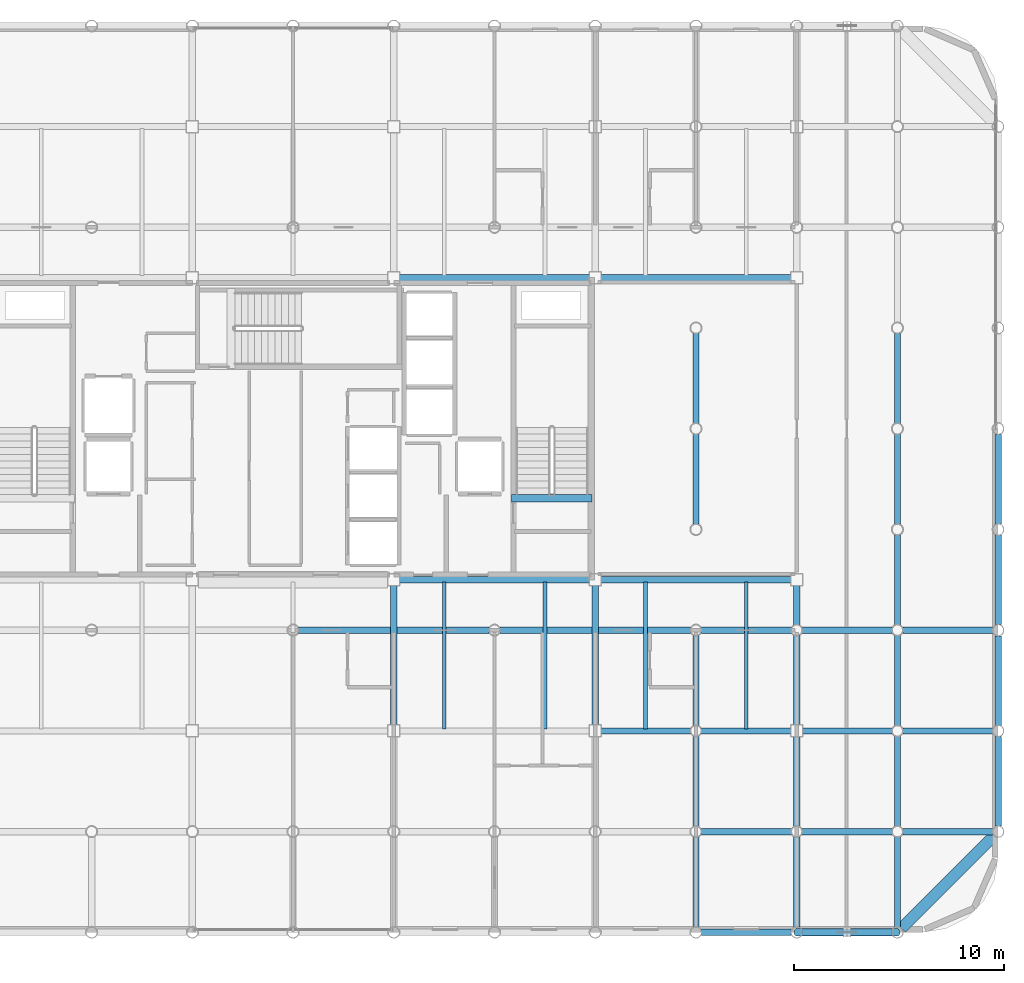
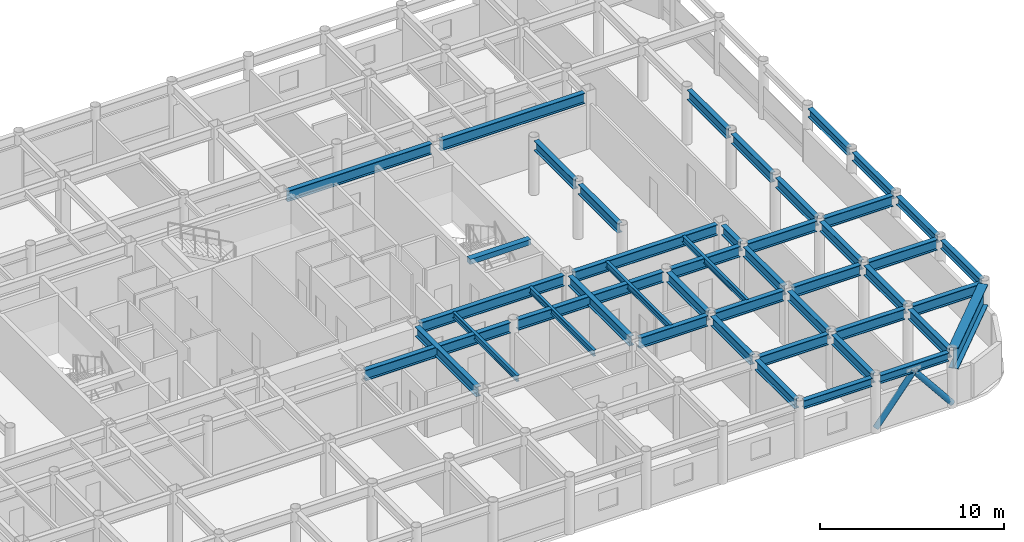
# One storey, part 9 of 22: 45 beams, 2 members.
"""IFC4 building model written with IfcOpenShell, lengths in metres."""

from ifc_helpers import new_model, si_unit, direction, frame, origin, origin_2d, place, context, subcontext, project, spatial, rectangle, hollow_circle, i_section, extrude, material, material_profile, profile_set, type_object, element, save


model = new_model("IFC4")

# Units and contexts
model_context = context("Model", 3, precision=1e-05, world=origin(), true_north=direction((0.0, 1.0)))
body_context = subcontext(model_context, "Body", "Model", "MODEL_VIEW")
ifc_project = project(units=[si_unit("LENGTHUNIT", "METRE"), si_unit("AREAUNIT", "SQUARE_METRE"), si_unit("VOLUMEUNIT", "CUBIC_METRE"), si_unit("PLANEANGLEUNIT", "RADIAN"), si_unit("MASSUNIT", "GRAM", prefix="KILO")], contexts=[model_context])

# Site, building, storey
site_placement = place(None, origin())
site = spatial("IfcSite", under=ifc_project, at=site_placement, CompositionType="ELEMENT")
building_placement = place(site_placement, origin())
building = spatial("IfcBuilding", under=site, at=building_placement, Name="Kallvorn Hotel Tower", CompositionType="ELEMENT")
storey_placement = place(building_placement, frame((0.0, 0.0, 206.89990234375)))
storey = spatial("IfcBuildingStorey", under=building, at=storey_placement, Name="L51", CompositionType="ELEMENT", Elevation=206.89990234375)

# Beams
ifc_material_1 = material(Name="Structural steel S355JR", Category="steel")
ifc_material_profile_1 = material_profile(ifc_material_1, i_section(OverallWidth=0.300048828125, OverallDepth=0.550048828125, WebThickness=0.014892578125, FlangeThickness=0.029052734375, at=origin_2d()), Name="HE 550 B")
ifc_profile_set_1 = profile_set([ifc_material_profile_1], Name="Structural steel S355JR")
beam_type_1 = type_object("IfcBeamType", Name="BM_HE550B", PredefinedType="SPANDREL", material=ifc_profile_set_1)
for number, where, z_axis, x_axis, name in (
    (1, (19.469482421875, -24.0, 3.39501953125), (1.0, 0.0, 0.0), (0.0, 1.0, 0.0), "L52 Perimeter Spandrel 160"),
    (2, (24.26953125, -24.0, 3.39501953125), (1.0, 0.0, 0.0), (0.0, 1.0, 0.0), "L52 Perimeter Spandrel 161"),
    (3, (33.60009765625, -18.930419921875, 3.39501953125), (0.0, 1.0, 0.0), (-1.0, 0.0, 0.0), "L52 Perimeter Spandrel 182"),
):
    element("IfcBeam", number, at=place(storey_placement, frame(where, z_axis=z_axis, x_axis=x_axis)), inside=storey, type_object=beam_type_1, Name=name, PredefinedType="SPANDREL", context=body_context, shape_type="SweptSolid", body=[
        extrude(i_section(OverallWidth=0.300048828125, OverallDepth=0.550048828125, WebThickness=0.014892578125, FlangeThickness=0.029052734375, at=origin_2d()), origin(), (0.0, 0.0, 1.0), 4.260986328125),
    ])
beam_1_placement = place(storey_placement, frame((33.60009765625, -14.130615234375, 3.39501953125), z_axis=(0.0, 1.0, 0.0), x_axis=(-1.0, 0.0, 0.0)))
element("IfcBeam", 4, at=beam_1_placement, inside=storey, type_object=beam_type_1, Name="L52 Perimeter Spandrel 183", PredefinedType="SPANDREL", context=body_context, shape_type="SweptSolid", body=[
    extrude(i_section(OverallWidth=0.300048828125, OverallDepth=0.550048828125, WebThickness=0.014892578125, FlangeThickness=0.029052734375, at=origin_2d()), origin(), (0.0, 0.0, 1.0), 4.26123046875),
])
for number, where, z_axis, x_axis, name in (
    (5, (33.60009765625, -9.33056640625, 3.39501953125), (0.0, 1.0, 0.0), (-1.0, 0.0, 0.0), "L52 Perimeter Spandrel 184"),
    (6, (33.60009765625, -4.530517578125, 3.39501953125), (0.0, 1.0, 0.0), (-1.0, 0.0, 0.0), "L52 Perimeter Spandrel 185"),
):
    element("IfcBeam", number, at=place(storey_placement, frame(where, z_axis=z_axis, x_axis=x_axis)), inside=storey, type_object=beam_type_1, Name=name, PredefinedType="SPANDREL", context=body_context, shape_type="SweptSolid", body=[
        extrude(i_section(OverallWidth=0.300048828125, OverallDepth=0.550048828125, WebThickness=0.014892578125, FlangeThickness=0.029052734375, at=origin_2d()), origin(), (0.0, 0.0, 1.0), 4.260986328125),
    ])
ifc_material_2 = material(Name="Structural steel S355JR", Category="steel")
ifc_material_profile_2 = material_profile(ifc_material_2, i_section(OverallWidth=0.300048828125, OverallDepth=0.64990234375, WebThickness=0.01611328125, FlangeThickness=0.031005859375, at=origin_2d()), Name="HE 650 B")
ifc_profile_set_2 = profile_set([ifc_material_profile_2], Name="Structural steel S355JR")
beam_type_2 = type_object("IfcBeamType", Name="BM_HE650B", PredefinedType="BEAM", material=ifc_profile_set_2)
for number, where, z_axis, x_axis, name in (
    (7, (4.800048828125, -14.125, 3.34521484375), (0.0, 1.0, 0.0), (-1.0, 0.0, 0.0), "L52 Primary Y-Girder 115"),
    (8, (14.39990234375, -14.125, 3.34521484375), (0.0, 1.0, 0.0), (-1.0, 0.0, 0.0), "L52 Primary Y-Girder 123"),
):
    element("IfcBeam", number, at=place(storey_placement, frame(where, z_axis=z_axis, x_axis=x_axis)), inside=storey, type_object=beam_type_2, Name=name, PredefinedType="BEAM", context=body_context, shape_type="SweptSolid", body=[
        extrude(i_section(OverallWidth=0.300048828125, OverallDepth=0.64990234375, WebThickness=0.01611328125, FlangeThickness=0.031005859375, at=origin_2d()), origin(), (0.0, 0.0, 1.0), 6.64990234375),
    ])
for number, where, z_axis, x_axis, name in (
    (9, (19.199951171875, -23.74560546875, 3.34521484375), (0.0, 1.0, 0.0), (-1.0, 0.0, 0.0), "L52 Primary Y-Girder 126"),
    (10, (19.199951171875, -18.945556640625, 3.34521484375), (0.0, 1.0, 0.0), (-1.0, 0.0, 0.0), "L52 Primary Y-Girder 127"),
    (11, (19.199951171875, -14.1455078125, 3.34521484375), (0.0, 1.0, 0.0), (-1.0, 0.0, 0.0), "L52 Primary Y-Girder 128"),
    (12, (19.199951171875, -4.54541015625, 3.34521484375), (0.0, 1.0, 0.0), (-1.0, 0.0, 0.0), "L52 Primary Y-Girder 130"),
    (13, (19.199951171875, 0.25439453125, 3.34521484375), (0.0, 1.0, 0.0), (-1.0, 0.0, 0.0), "L52 Primary Y-Girder 131"),
    (14, (24.0, -23.74560546875, 3.34521484375), (0.0, 1.0, 0.0), (-1.0, 0.0, 0.0), "L52 Primary Y-Girder 135"),
):
    element("IfcBeam", number, at=place(storey_placement, frame(where, z_axis=z_axis, x_axis=x_axis)), inside=storey, type_object=beam_type_2, Name=name, PredefinedType="BEAM", context=body_context, shape_type="SweptSolid", body=[
        extrude(i_section(OverallWidth=0.300048828125, OverallDepth=0.64990234375, WebThickness=0.01611328125, FlangeThickness=0.031005859375, at=origin_2d()), origin(), (0.0, 0.0, 1.0), 4.291015625),
    ])
for number, where, z_axis, x_axis, name in (
    (15, (24.0, -18.945556640625, 3.34521484375), (0.0, 1.0, 0.0), (-1.0, 0.0, 0.0), "L52 Primary Y-Girder 136"),
    (16, (24.0, -14.125, 3.34521484375), (0.0, 1.0, 0.0), (-1.0, 0.0, 0.0), "L52 Primary Y-Girder 137"),
):
    element("IfcBeam", number, at=place(storey_placement, frame(where, z_axis=z_axis, x_axis=x_axis)), inside=storey, type_object=beam_type_2, Name=name, PredefinedType="BEAM", context=body_context, shape_type="SweptSolid", body=[
        extrude(i_section(OverallWidth=0.300048828125, OverallDepth=0.64990234375, WebThickness=0.01611328125, FlangeThickness=0.031005859375, at=origin_2d()), origin(), (0.0, 0.0, 1.0), 4.2705078125),
    ])
beam_2_placement = place(storey_placement, frame((24.0, -9.345458984375, 3.34521484375), z_axis=(0.0, 1.0, 0.0), x_axis=(-1.0, 0.0, 0.0)))
element("IfcBeam", 17, at=beam_2_placement, inside=storey, type_object=beam_type_2, Name="L52 Primary Y-Girder 138", PredefinedType="BEAM", context=body_context, shape_type="SweptSolid", body=[
    extrude(i_section(OverallWidth=0.300048828125, OverallDepth=0.64990234375, WebThickness=0.01611328125, FlangeThickness=0.031005859375, at=origin_2d()), origin(), (0.0, 0.0, 1.0), 1.870361328125),
])
for number, where, z_axis, x_axis, name in (
    (18, (28.800048828125, -23.74560546875, 3.34521484375), (0.0, 1.0, 0.0), (-1.0, 0.0, 0.0), "L52 Primary Y-Girder 142"),
    (19, (28.800048828125, -18.945556640625, 3.34521484375), (0.0, 1.0, 0.0), (-1.0, 0.0, 0.0), "L52 Primary Y-Girder 143"),
    (20, (28.800048828125, -14.1455078125, 3.34521484375), (0.0, 1.0, 0.0), (-1.0, 0.0, 0.0), "L52 Primary Y-Girder 144"),
    (21, (28.800048828125, -9.345458984375, 3.34521484375), (0.0, 1.0, 0.0), (-1.0, 0.0, 0.0), "L52 Primary Y-Girder 145"),
    (22, (28.800048828125, -4.54541015625, 3.34521484375), (0.0, 1.0, 0.0), (-1.0, 0.0, 0.0), "L52 Primary Y-Girder 146"),
    (23, (28.800048828125, 0.25439453125, 3.34521484375), (0.0, 1.0, 0.0), (-1.0, 0.0, 0.0), "L52 Primary Y-Girder 147"),
):
    element("IfcBeam", number, at=place(storey_placement, frame(where, z_axis=z_axis, x_axis=x_axis)), inside=storey, type_object=beam_type_2, Name=name, PredefinedType="BEAM", context=body_context, shape_type="SweptSolid", body=[
        extrude(i_section(OverallWidth=0.300048828125, OverallDepth=0.64990234375, WebThickness=0.01611328125, FlangeThickness=0.031005859375, at=origin_2d()), origin(), (0.0, 0.0, 1.0), 4.291015625),
    ])
ifc_material_3 = material(Name="Structural steel S355JR", Category="steel")
ifc_material_profile_3 = material_profile(ifc_material_3, i_section(OverallWidth=0.300048828125, OverallDepth=0.699951171875, WebThickness=0.01708984375, FlangeThickness=0.031982421875, at=origin_2d()), Name="HE 700 B")
ifc_profile_set_3 = profile_set([ifc_material_profile_3], Name="Structural steel S355JR")
beam_type_3 = type_object("IfcBeamType", Name="BM_HE700B", PredefinedType="BEAM", material=ifc_profile_set_3)
for number, where, z_axis, x_axis, name in (
    (24, (19.45458984375, -19.199951171875, 3.320068359375), (1.0, 0.0, 0.0), (0.0, 1.0, 0.0), "L52 Primary X-Girder 11"),
    (25, (24.25439453125, -19.199951171875, 3.320068359375), (1.0, 0.0, 0.0), (0.0, 1.0, 0.0), "L52 Primary X-Girder 12"),
    (26, (29.054443359375, -19.199951171875, 3.320068359375), (1.0, 0.0, 0.0), (0.0, 1.0, 0.0), "L52 Primary X-Girder 13"),
):
    element("IfcBeam", number, at=place(storey_placement, frame(where, z_axis=z_axis, x_axis=x_axis)), inside=storey, type_object=beam_type_3, Name=name, PredefinedType="BEAM", context=body_context, shape_type="SweptSolid", body=[
        extrude(i_section(OverallWidth=0.300048828125, OverallDepth=0.699951171875, WebThickness=0.01708984375, FlangeThickness=0.031982421875, at=origin_2d()), origin(), (0.0, 0.0, 1.0), 4.291015625),
    ])
for number, where, z_axis, x_axis, name in (
    (27, (14.675048828125, -14.39990234375, 3.320068359375), (1.0, 0.0, 0.0), (0.0, 1.0, 0.0), "L52 Primary X-Girder 20"),
    (28, (19.45458984375, -14.39990234375, 3.320068359375), (1.0, 0.0, 0.0), (0.0, 1.0, 0.0), "L52 Primary X-Girder 21"),
    (29, (24.27490234375, -14.39990234375, 3.320068359375), (1.0, 0.0, 0.0), (0.0, 1.0, 0.0), "L52 Primary X-Girder 22"),
):
    element("IfcBeam", number, at=place(storey_placement, frame(where, z_axis=z_axis, x_axis=x_axis)), inside=storey, type_object=beam_type_3, Name=name, PredefinedType="BEAM", context=body_context, shape_type="SweptSolid", body=[
        extrude(i_section(OverallWidth=0.300048828125, OverallDepth=0.699951171875, WebThickness=0.01708984375, FlangeThickness=0.031982421875, at=origin_2d()), origin(), (0.0, 0.0, 1.0), 4.2705078125),
    ])
beam_3_placement = place(storey_placement, frame((29.054443359375, -14.39990234375, 3.320068359375), z_axis=(1.0, 0.0, 0.0), x_axis=(0.0, 1.0, 0.0)))
element("IfcBeam", 30, at=beam_3_placement, inside=storey, type_object=beam_type_3, Name="L52 Primary X-Girder 23", PredefinedType="BEAM", context=body_context, shape_type="SweptSolid", body=[
    extrude(i_section(OverallWidth=0.300048828125, OverallDepth=0.699951171875, WebThickness=0.01708984375, FlangeThickness=0.031982421875, at=origin_2d()), origin(), (0.0, 0.0, 1.0), 4.291015625),
])
for number, where, z_axis, x_axis, name in (
    (31, (0.25439453125, -9.60009765625, 3.320068359375), (1.0, 0.0, 0.0), (0.0, 1.0, 0.0), "L52 Primary X-Girder 28"),
    (32, (9.8544921875, -9.60009765625, 3.320068359375), (1.0, 0.0, 0.0), (0.0, 1.0, 0.0), "L52 Primary X-Girder 29"),
):
    element("IfcBeam", number, at=place(storey_placement, frame(where, z_axis=z_axis, x_axis=x_axis)), inside=storey, type_object=beam_type_3, Name=name, PredefinedType="BEAM", context=body_context, shape_type="SweptSolid", body=[
        extrude(i_section(OverallWidth=0.300048828125, OverallDepth=0.699951171875, WebThickness=0.01708984375, FlangeThickness=0.031982421875, at=origin_2d()), origin(), (0.0, 0.0, 1.0), 9.091064453125),
    ])
for number, where, z_axis, x_axis, name in (
    (33, (19.45458984375, -9.60009765625, 3.320068359375), (1.0, 0.0, 0.0), (0.0, 1.0, 0.0), "L52 Primary X-Girder 30"),
    (34, (24.25439453125, -9.60009765625, 3.320068359375), (1.0, 0.0, 0.0), (0.0, 1.0, 0.0), "L52 Primary X-Girder 31"),
    (35, (29.054443359375, -9.60009765625, 3.320068359375), (1.0, 0.0, 0.0), (0.0, 1.0, 0.0), "L52 Primary X-Girder 32"),
):
    element("IfcBeam", number, at=place(storey_placement, frame(where, z_axis=z_axis, x_axis=x_axis)), inside=storey, type_object=beam_type_3, Name=name, PredefinedType="BEAM", context=body_context, shape_type="SweptSolid", body=[
        extrude(i_section(OverallWidth=0.300048828125, OverallDepth=0.699951171875, WebThickness=0.01708984375, FlangeThickness=0.031982421875, at=origin_2d()), origin(), (0.0, 0.0, 1.0), 4.291015625),
    ])
for number, where, z_axis, x_axis, name in (
    (36, (5.074951171875, -7.199951171875, 3.320068359375), (1.0, 0.0, 0.0), (0.0, 1.0, 0.0), "L52 Primary X-Girder 35"),
    (37, (14.675048828125, -7.199951171875, 3.320068359375), (1.0, 0.0, 0.0), (0.0, 1.0, 0.0), "L52 Primary X-Girder 36"),
    (38, (5.074951171875, 7.199951171875, 3.320068359375), (1.0, 0.0, 0.0), (0.0, 1.0, 0.0), "L52 Primary X-Girder 40"),
    (39, (14.675048828125, 7.199951171875, 3.320068359375), (1.0, 0.0, 0.0), (0.0, 1.0, 0.0), "L52 Primary X-Girder 41"),
):
    element("IfcBeam", number, at=place(storey_placement, frame(where, z_axis=z_axis, x_axis=x_axis)), inside=storey, type_object=beam_type_3, Name=name, PredefinedType="BEAM", context=body_context, shape_type="SweptSolid", body=[
        extrude(i_section(OverallWidth=0.300048828125, OverallDepth=0.699951171875, WebThickness=0.01708984375, FlangeThickness=0.031982421875, at=origin_2d()), origin(), (0.0, 0.0, 1.0), 9.050048828125),
    ])
ifc_material_4 = material(Name="Structural steel S355JR", Category="steel")
ifc_material_profile_4 = material_profile(ifc_material_4, i_section(OverallWidth=0.179931640625, OverallDepth=0.39990234375, WebThickness=0.008544921875, FlangeThickness=0.013427734375, at=origin_2d()), Name="IPE 400")
ifc_profile_set_4 = profile_set([ifc_material_profile_4], Name="Structural steel S355JR")
beam_type_4 = type_object("IfcBeamType", Name="BM_IPE400", PredefinedType="JOIST", material=ifc_profile_set_4)
for number, where, z_axis, x_axis, name in (
    (40, (7.199951171875, -14.300048828125, 3.47021484375), (0.0, 1.0, 0.0), (-1.0, 0.0, 0.0), "L52 Secondary Composite Joist 202"),
    (41, (12.0, -14.300048828125, 3.47021484375), (0.0, 1.0, 0.0), (-1.0, 0.0, 0.0), "L52 Secondary Composite Joist 204"),
    (42, (16.800048828125, -14.300048828125, 3.47021484375), (0.0, 1.0, 0.0), (-1.0, 0.0, 0.0), "L52 Secondary Composite Joist 206"),
    (43, (21.60009765625, -14.300048828125, 3.47021484375), (0.0, 1.0, 0.0), (-1.0, 0.0, 0.0), "L52 Secondary Composite Joist 208"),
):
    element("IfcBeam", number, at=place(storey_placement, frame(where, z_axis=z_axis, x_axis=x_axis)), inside=storey, type_object=beam_type_4, Name=name, PredefinedType="JOIST", context=body_context, shape_type="SweptSolid", body=[
        extrude(i_section(OverallWidth=0.179931640625, OverallDepth=0.39990234375, WebThickness=0.008544921875, FlangeThickness=0.013427734375, at=origin_2d()), origin(), (0.0, 0.0, 1.0), 7.0),
    ])
ifc_material_5 = material(Name="Structural steel S355JR", Category="steel")
ifc_material_profile_5 = material_profile(ifc_material_5, i_section(OverallWidth=0.550048828125, OverallDepth=1.39990234375, WebThickness=0.02490234375, FlangeThickness=0.044921875, at=origin_2d()), Name="PG 1400x550x25x45")
ifc_profile_set_5 = profile_set([ifc_material_profile_5], Name="Structural steel S355JR")
beam_type_5 = type_object("IfcBeamType", Name="BM_PG_1400", PredefinedType="BEAM", material=ifc_profile_set_5)
beam_4_placement = place(storey_placement, frame((33.409423828125, -19.390625, 2.97021484375), z_axis=(-0.707126314793, -0.707087247041, 0.0), x_axis=(0.707087247041, -0.707126314793, 0.0)))
element("IfcBeam", 44, at=beam_4_placement, inside=storey, type_object=beam_type_5, Name="L52 Rounded Corner Tie Beam 190", PredefinedType="BEAM", context=body_context, shape_type="SweptSolid", body=[
    extrude(i_section(OverallWidth=0.550048828125, OverallDepth=1.39990234375, WebThickness=0.02490234375, FlangeThickness=0.044921875, at=origin_2d()), origin(), (0.0, 0.0, 1.0), 6.249267578125),
])
ifc_material_6 = material(Name="Concrete C50/60", Category="concrete")
ifc_material_profile_6 = material_profile(ifc_material_6, rectangle(XDim=0.360107421875, YDim=0.340087890625, at=origin_2d()), Name="RC 360x340")
ifc_profile_set_6 = profile_set([ifc_material_profile_6], Name="Concrete C50/60")
beam_type_6 = type_object("IfcBeamType", Name="BM_RC_400x360", PredefinedType="BEAM", material=ifc_profile_set_6)
beam_5_placement = place(storey_placement, frame((14.239990234375, -3.31005859375, 3.5), z_axis=(-1.0, 0.0, 0.0), x_axis=(0.0, -1.0, 0.0)))
element("IfcBeam", 45, at=beam_5_placement, inside=storey, type_object=beam_type_6, Name="L52 Stair ST2 Arrival Trimmer Beam", PredefinedType="BEAM", context=body_context, shape_type="SweptSolid", body=[
    extrude(rectangle(XDim=0.360107421875, YDim=0.340087890625, at=origin_2d()), origin(), (0.0, 0.0, 1.0), 3.820068359375),
])

# Members
ifc_material_7 = material(Name="Structural steel S355J2H", Category="steel")
ifc_material_profile_7 = material_profile(ifc_material_7, hollow_circle(Radius=0.177734375, WallThickness=0.01416015625, at=origin_2d()), Name="CHS 355.6x14.2")
ifc_profile_set_7 = profile_set([ifc_material_profile_7], Name="Structural steel S355J2H")
member_type = type_object("IfcMemberType", Name="MBR_EXO_CHS355", PredefinedType="BRACE", material=ifc_profile_set_7)
for number, where, z_axis, x_axis, name in (
    (46, (24.012451171875, -24.0, 0.19580078125), (0.627270878626, 0.0, 0.778801158722), (0.0, 1.0, 0.0), "L51 Exoskeleton K-Brace S2A"),
    (47, (28.78759765625, -24.0, 0.19580078125), (-0.627270878626, 0.0, 0.778801158722), (0.0, -1.0, 0.0), "L51 Exoskeleton K-Brace S2B"),
):
    element("IfcMember", number, at=place(storey_placement, frame(where, z_axis=z_axis, x_axis=x_axis)), inside=storey, type_object=member_type, Name=name, PredefinedType="BRACE", context=body_context, shape_type="SweptSolid", body=[
        extrude(hollow_circle(Radius=0.177734375, WallThickness=0.01416015625, at=origin_2d()), origin(), (0.0, 0.0, 1.0), 3.7861328125),
    ])

save(model, "model.ifc")
